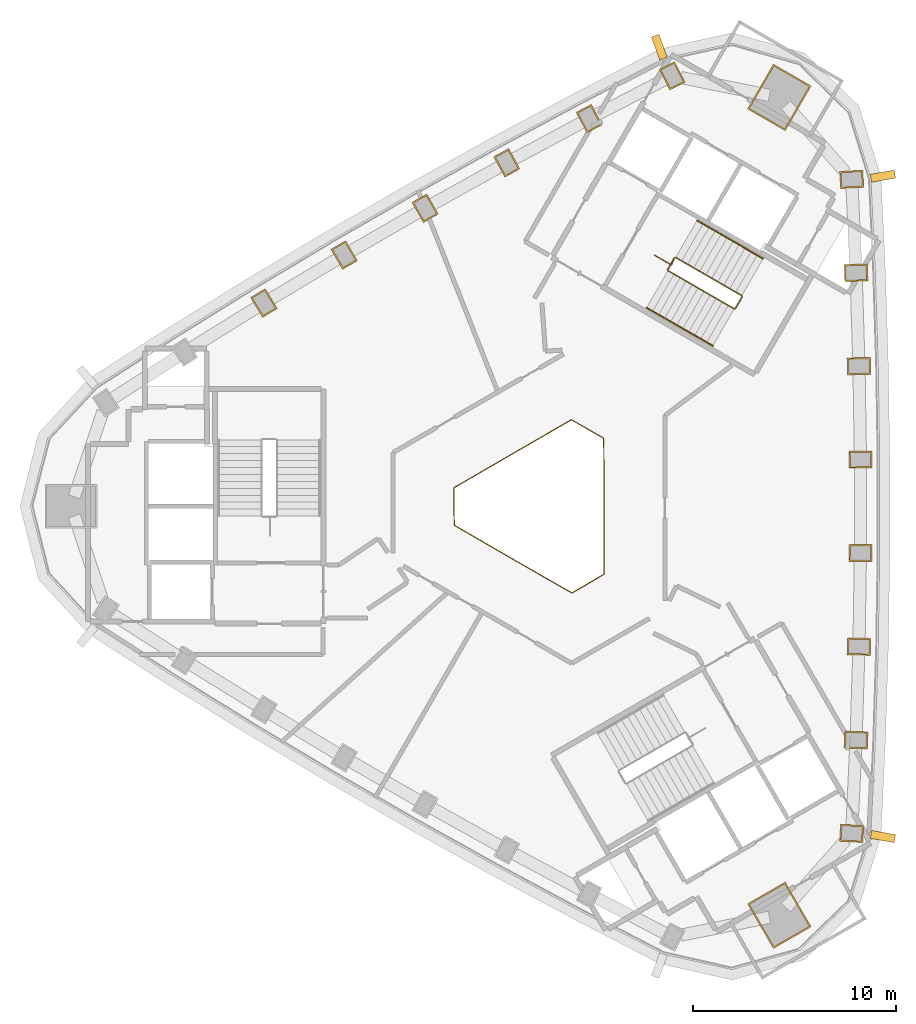
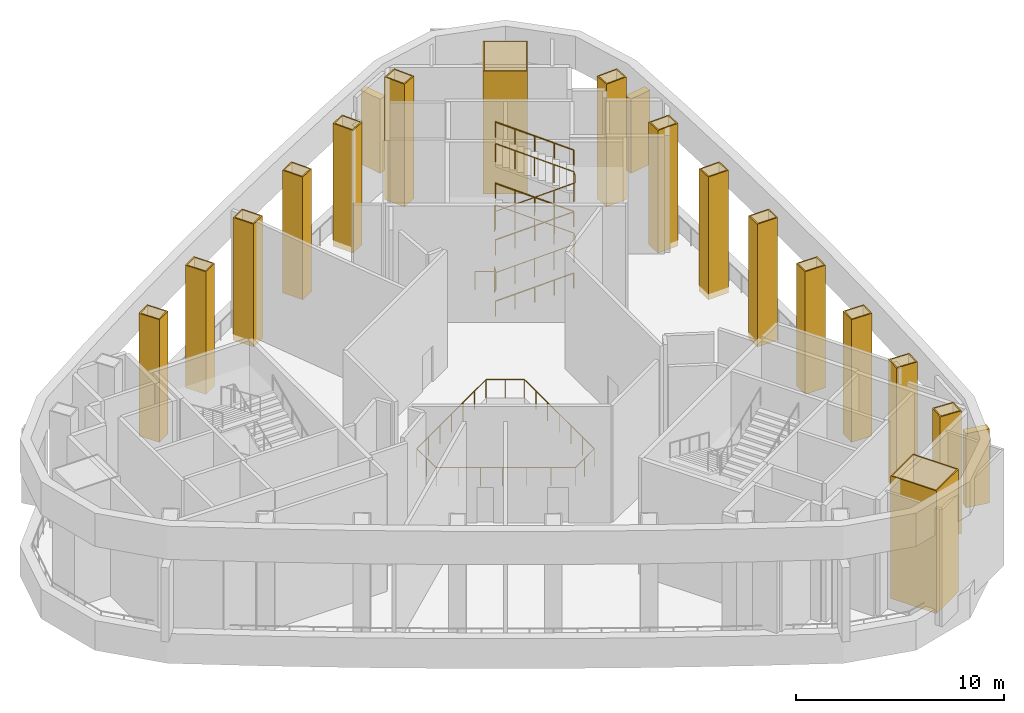
# One storey, part 8 of 8: 19 coverings, 6 railings.
"""IFC4 building model written with IfcOpenShell, lengths in metres."""

import ifcopenshell
import ifcopenshell.guid

model = None  # the IFC model being written
_history = None  # IfcOwnerHistory: only IFC2X3 demands one
_inside = {}  # id of a spatial element -> (the spatial element, [elements in it])
_under = {}  # id of a project, library or spatial element -> (it, [spatial elements below it])
_declared = {}  # id of a project -> (the project, [libraries it declares])
_typed = {}  # id of a type object -> (the type object, [elements of that type])
_made_of = {}  # id of a material, layer set ... -> (it, [elements and type objects made of it])


def new_model(schema):
    """Start an empty IFC model of exactly this schema.

    Asked for "IFC4X3", IfcOpenShell would pick the latest addendum, in which some entities
    have other attributes; the version numbers below select the first issue.
    IFC2X3 requires an IfcOwnerHistory on every rooted entity: one is made here for all.
    """
    global model, _history
    if schema == "IFC4X3":
        model = ifcopenshell.file(schema_version=(4, 3, 0, 0))
    else:
        model = ifcopenshell.file(schema=schema)
    _inside.clear()
    _under.clear()
    _declared.clear()
    _typed.clear()
    _made_of.clear()
    _history = None
    if model.schema == "IFC2X3":
        org = make("IfcOrganization", Name="unknown")
        user = make(
            "IfcPersonAndOrganization",
            ThePerson=make("IfcPerson", FamilyName="unknown"),
            TheOrganization=org,
        )
        app = make(
            "IfcApplication",
            ApplicationDeveloper=org,
            Version="unknown",
            ApplicationFullName="unknown",
            ApplicationIdentifier="unknown",
        )
        _history = make(
            "IfcOwnerHistory",
            OwningUser=user,
            OwningApplication=app,
            ChangeAction="ADDED",
            CreationDate=0,
        )
    return model


def make(cls, **values):
    """One entity of the class cls with the attributes given. An attribute that is None is left unset."""
    return model.create_entity(
        cls, **{name: value for name, value in values.items() if value is not None}
    )


def rooted(cls, **values):
    """An entity with a GlobalId (a new one), such as an element, a storey or a relation."""
    return make(cls, GlobalId=ifcopenshell.guid.new(), OwnerHistory=_history, **values)


def si_unit(unit_type, name, prefix=None):
    """IfcSIUnit, for example si_unit("LENGTHUNIT", "METRE", prefix="MILLI")."""
    return make("IfcSIUnit", UnitType=unit_type, Prefix=prefix, Name=name)


def assignment(units):
    """IfcUnitAssignment: the units of a project."""
    return None if units is None else make("IfcUnitAssignment", Units=units)


def point(xyz):
    """IfcCartesianPoint."""
    return None if xyz is None else make("IfcCartesianPoint", Coordinates=xyz)


def direction(xyz):
    """IfcDirection."""
    return None if xyz is None else make("IfcDirection", DirectionRatios=xyz)


def frame(location, z_axis=None, x_axis=None):
    """IfcAxis2Placement3D, a coordinate frame: its origin and axes. An axis left out is left unset."""
    return make(
        "IfcAxis2Placement3D",
        Location=point(location),
        Axis=direction(z_axis),
        RefDirection=direction(x_axis),
    )


def frame_2d(location, x_axis=None):
    """IfcAxis2Placement2D, a coordinate frame in the plane: its origin and x axis."""
    return make(
        "IfcAxis2Placement2D", Location=point(location), RefDirection=direction(x_axis)
    )


def origin():
    """The frame at (0, 0, 0) with its axes left unset."""
    return frame((0.0, 0.0, 0.0))


def origin_2d():
    """The frame at (0, 0) in the plane with its x axis left unset."""
    return frame_2d((0.0, 0.0))


def place(relative_to, where):
    """IfcLocalPlacement: puts the frame where relative to a parent placement (None: the world)."""
    return make(
        "IfcLocalPlacement", PlacementRelTo=relative_to, RelativePlacement=where
    )


def context(
    kind, dimensions, precision=None, world=None, true_north=None, identifier=None
):
    """IfcGeometricRepresentationContext, for example the 3D "Model" context."""
    return make(
        "IfcGeometricRepresentationContext",
        ContextIdentifier=identifier,
        ContextType=kind,
        CoordinateSpaceDimension=dimensions,
        Precision=precision,
        WorldCoordinateSystem=world,
        TrueNorth=true_north,
    )


def subcontext(parent, identifier, kind, view, scale=None):
    """IfcGeometricRepresentationSubContext, for example "Body" below "Model"."""
    return make(
        "IfcGeometricRepresentationSubContext",
        ContextIdentifier=identifier,
        ContextType=kind,
        ParentContext=parent,
        TargetScale=scale,
        TargetView=view,
    )


def project(units=None, contexts=None):
    """IfcProject with its units and contexts."""
    return rooted(
        "IfcProject",
        Name="project",
        RepresentationContexts=contexts,
        UnitsInContext=assignment(units),
    )


def spatial(cls, under=None, at=None, **own):
    """A site, building, storey or space (cls), placed at a placement, below another one or the project."""
    s = rooted(cls, ObjectPlacement=at, **own)
    if under is not None:
        _under.setdefault(under.id(), (under, []))[1].append(s)
    return s


def profile(cls, at=None, kind="AREA", **sizes):
    """A parametric profile (cls). Its sizes go by their IFC names, for example OverallWidth=200.0."""
    return make(cls, ProfileType=kind, Position=at, **sizes)


def rectangle(**sizes):
    """IfcRectangleProfileDef."""
    return profile("IfcRectangleProfileDef", **sizes)


def circle(**sizes):
    """IfcCircleProfileDef."""
    return profile("IfcCircleProfileDef", **sizes)


def extrude(swept, where, along, depth):
    """IfcExtrudedAreaSolid: the profile swept, set in the frame where, extruded along a direction by depth."""
    return make(
        "IfcExtrudedAreaSolid",
        SweptArea=swept,
        Position=where,
        ExtrudedDirection=direction(along),
        Depth=depth,
    )


def shape(context_of_items, identifier, shape_type, items):
    """IfcShapeRepresentation: the items that make up one representation, for example the "Body"."""
    return make(
        "IfcShapeRepresentation",
        ContextOfItems=context_of_items,
        RepresentationIdentifier=identifier,
        RepresentationType=shape_type,
        Items=items,
    )


def source(mapping_origin, context_of_items, identifier, shape_type, items):
    """IfcRepresentationMap: a shape defined once, which mapped items show again and again."""
    return make(
        "IfcRepresentationMap",
        MappingOrigin=mapping_origin,
        MappedRepresentation=shape(context_of_items, identifier, shape_type, items),
    )


def transform(
    local_origin,
    x_axis=None,
    y_axis=None,
    z_axis=None,
    scale=None,
    scale2=None,
    scale3=None,
    uniform=True,
):
    """IfcCartesianTransformationOperator3D, or its non-uniform kind. x_axis, y_axis, z_axis: its Axis1, 2, 3."""
    if uniform:
        return make(
            "IfcCartesianTransformationOperator3D",
            Axis1=direction(x_axis),
            Axis2=direction(y_axis),
            LocalOrigin=point(local_origin),
            Scale=scale,
            Axis3=direction(z_axis),
        )
    return make(
        "IfcCartesianTransformationOperator3DnonUniform",
        Axis1=direction(x_axis),
        Axis2=direction(y_axis),
        LocalOrigin=point(local_origin),
        Scale=scale,
        Axis3=direction(z_axis),
        Scale2=scale2,
        Scale3=scale3,
    )


def mapped(mapping_source, mapping_target):
    """IfcMappedItem: shows the shape of a source again, moved by a transform."""
    return make(
        "IfcMappedItem", MappingSource=mapping_source, MappingTarget=mapping_target
    )


def material(Name=None, Category=None):
    """IfcMaterial."""
    return make("IfcMaterial", Name=Name, Category=Category)


def layer(
    of_material, thickness, ventilated=None, Name=None, Category=None, Priority=None
):
    """IfcMaterialLayer: one layer of a wall or slab, of a material (None: an air gap)."""
    return make(
        "IfcMaterialLayer",
        Material=of_material,
        LayerThickness=thickness,
        IsVentilated=ventilated,
        Name=Name,
        Category=Category,
        Priority=Priority,
    )


def layer_set(layers, Name=None):
    """IfcMaterialLayerSet."""
    return make("IfcMaterialLayerSet", MaterialLayers=layers, LayerSetName=Name)


def made_of(thing, what):
    """Note that an element or type object is made of a material, layer set ...; save() writes the relation."""
    if what is not None:
        _made_of.setdefault(what.id(), (what, []))[1].append(thing)
    return thing


def type_object(cls, material=None, **own):
    """A type object (cls), such as IfcWallType, which elements share."""
    return made_of(rooted(cls, **own), material)


def element(
    cls,
    number,
    at=None,
    inside=None,
    cuts=None,
    type_object=None,
    material=None,
    context=None,
    identifier="Body",
    shape_type=None,
    held_by="IfcProductDefinitionShape",
    body=None,
    shapes=None,
    **own,
):
    """One element of the class cls, such as IfcWall. Its Tag is "e" and its number.

    at: its placement. inside: the storey or other place that contains it. cuts: it is an
    opening in that element (IfcRelVoidsElement). A single representation is given by context,
    identifier, shape_type and body (its items); several are given by shapes. held_by: the class
    of the entity that holds the representations. save() writes the other relations.
    """
    e = rooted(cls, Tag="e%d" % number, ObjectPlacement=at, **own)
    if body is not None:
        shapes = [shape(context, identifier, shape_type, body)]
    if shapes is not None:
        e.Representation = make(held_by, Representations=shapes)
    if inside is not None:
        _inside.setdefault(inside.id(), (inside, []))[1].append(e)
    if cuts is not None:
        rooted(
            "IfcRelVoidsElement", RelatingBuildingElement=cuts, RelatedOpeningElement=e
        )
    if type_object is not None:
        _typed.setdefault(type_object.id(), (type_object, []))[1].append(e)
    return made_of(e, material)


def aggregate(whole, parts):
    """IfcRelAggregates: a whole, such as a stair, and the parts it consists of."""
    return rooted("IfcRelAggregates", RelatingObject=whole, RelatedObjects=parts)


def save(model, path):
    """Write the relations noted so far, then the file.

    IfcRelAggregates (storeys below a building ...), IfcRelContainedInSpatialStructure (elements
    in a storey), IfcRelDefinesByType, IfcRelAssociatesMaterial and IfcRelDeclares: one each for
    every whole, place, type object, material and project.
    """
    for whole, parts in _under.values():
        aggregate(whole, parts)
    for where, things in _inside.values():
        rooted(
            "IfcRelContainedInSpatialStructure",
            RelatedElements=things,
            RelatingStructure=where,
        )
    for kind, things in _typed.values():
        rooted("IfcRelDefinesByType", RelatedObjects=things, RelatingType=kind)
    for what, things in _made_of.values():
        rooted("IfcRelAssociatesMaterial", RelatedObjects=things, RelatingMaterial=what)
    for by, libraries in _declared.values():
        rooted("IfcRelDeclares", RelatingContext=by, RelatedDefinitions=libraries)
    model.write(path)


model = new_model("IFC4")

# Units and contexts
model_context = context("Model", 3, precision=1e-05, world=origin(), true_north=direction((0.0, 1.0)))
body_context = subcontext(model_context, "Body", "Model", "MODEL_VIEW")
ifc_project = project(units=[si_unit("LENGTHUNIT", "METRE"), si_unit("AREAUNIT", "SQUARE_METRE"), si_unit("VOLUMEUNIT", "CUBIC_METRE"), si_unit("PLANEANGLEUNIT", "RADIAN"), si_unit("MASSUNIT", "GRAM", prefix="KILO")], contexts=[model_context])

# Site, building, storey
site_placement = place(None, origin())
site = spatial("IfcSite", under=ifc_project, at=site_placement, CompositionType="ELEMENT")
building_placement = place(site_placement, origin())
building = spatial("IfcBuilding", under=site, at=building_placement, Name="Tamra Quay Hotel Tower", CompositionType="ELEMENT")
storey_placement = place(building_placement, frame((0.0, 0.0, 283.800048828125)))
storey = spatial("IfcBuildingStorey", under=building, at=storey_placement, Name="L72", CompositionType="ELEMENT", Elevation=283.800048828125)

# Railing
ifc_material_1 = material(Name="Guard atrium edge 1100")
railing_type_1 = type_object("IfcRailingType", Name="Guard atrium edge 1100", PredefinedType="GUARDRAIL", material=ifc_material_1)
railing_1_placement = place(storey_placement, frame((2.197021484375, -3.81298828125, 0.0)))
element("IfcRailing", 1, at=railing_1_placement, inside=storey, type_object=railing_type_1, Name="G-A", PredefinedType="GUARDRAIL", context=body_context, shape_type="SweptSolid", body=[
    extrude(circle(Radius=0.02392578125, at=origin_2d()), frame((0.0, 0.0, 1.076171875), z_axis=(-0.86662952107, -0.498952175273, 0.0), x_axis=(0.498952175273, -0.86662952107, 0.0)), (0.0, 0.0, 1.0), 0.90576171875),
    extrude(circle(Radius=0.02392578125, at=origin_2d()), frame((-0.784912109375, -0.451904296875, 1.076171875), z_axis=(-0.86775781467, 0.49698729871, 0.0), x_axis=(-0.49698729871, -0.86775781467, 0.0)), (0.0, 0.0, 1.0), 3.5009765625),
    extrude(circle(Radius=0.02392578125, at=origin_2d()), frame((-3.822998046875, 1.2880859375, 1.076171875), z_axis=(-0.865328341314, 0.501205408708, 0.0), x_axis=(-0.501205408708, -0.865328341314, 0.0)), (0.0, 0.0, 1.0), 3.186279296875),
    extrude(circle(Radius=0.02392578125, at=origin_2d()), frame((-6.580078125, 2.885009765625, 1.076171875), z_axis=(-0.00755045373, 0.999971494918, 0.0), x_axis=(-0.999971494918, -0.00755045373, 0.0)), (0.0, 0.0, 1.0), 1.843017578125),
    extrude(circle(Radius=0.02392578125, at=origin_2d()), frame((-6.593994140625, 4.72802734375, 1.076171875), z_axis=(0.865218344584, 0.501395269419, 0.0), x_axis=(-0.501395269419, 0.865218344584, 0.0)), (0.0, 0.0, 1.0), 3.3505859375),
    extrude(circle(Radius=0.02392578125, at=origin_2d()), frame((-3.695068359375, 6.407958984375, 1.076171875), z_axis=(0.86554490347, 0.500831328969, 0.0), x_axis=(-0.500831328969, 0.86554490347, 0.0)), (0.0, 0.0, 1.0), 3.334228515625),
    extrude(circle(Radius=0.02392578125, at=origin_2d()), frame((-0.80908203125, 8.077880859375, 1.076171875), z_axis=(0.867874574129, -0.496783376915, 0.0), x_axis=(0.496783376915, 0.867874574129, 0.0)), (0.0, 0.0, 1.0), 1.83544921875),
    extrude(circle(Radius=0.02392578125, at=origin_2d()), frame((0.783935546875, 7.166015625, 1.076171875), z_axis=(0.002407434205, -0.999997102126, 0.0), x_axis=(0.999997102126, 0.002407434205, 0.0)), (0.0, 0.0, 1.0), 6.693115234375),
    extrude(circle(Radius=0.02392578125, at=origin_2d()), frame((0.800048828125, 0.472900390625, 1.076171875), z_axis=(-0.862888288513, -0.505394698772, 0.0), x_axis=(0.505394698772, -0.862888288513, 0.0)), (0.0, 0.0, 1.0), 0.926025390625),
    extrude(circle(Radius=0.02392578125, at=origin_2d()), frame((0.0009765625, 0.0048828125, 1.076171875), z_axis=(-0.196116135138, -0.980580675691, 0.0), x_axis=(0.980580675691, -0.196116135138, 0.0)), (0.0, 0.0, 1.0), 0.0048828125),
    extrude(circle(Radius=0.02099609375, at=origin_2d()), origin(), (0.0, 0.0, 1.0), 1.052001953125),
    extrude(circle(Radius=0.02099609375, at=origin_2d()), frame((-0.784912109375, -0.451904296875, 0.0)), (0.0, 0.0, 1.0), 1.052001953125),
    extrude(circle(Radius=0.02099609375, at=origin_2d()), frame((-1.797607421875, 0.128173828125, 0.0)), (0.0, 0.0, 1.0), 1.052001953125),
    extrude(circle(Radius=0.02099609375, at=origin_2d()), frame((-2.810302734375, 0.7080078125, 0.0)), (0.0, 0.0, 1.0), 1.052001953125),
    extrude(circle(Radius=0.02099609375, at=origin_2d()), frame((-3.822998046875, 1.2880859375, 0.0)), (0.0, 0.0, 1.0), 1.052001953125),
    extrude(circle(Radius=0.02099609375, at=origin_2d()), frame((-4.741943359375, 1.8203125, 0.0)), (0.0, 0.0, 1.0), 1.052001953125),
    extrude(circle(Radius=0.02099609375, at=origin_2d()), frame((-5.6611328125, 2.352783203125, 0.0)), (0.0, 0.0, 1.0), 1.052001953125),
    extrude(circle(Radius=0.02099609375, at=origin_2d()), frame((-6.580078125, 2.885009765625, 0.0)), (0.0, 0.0, 1.0), 1.052001953125),
    extrude(circle(Radius=0.02099609375, at=origin_2d()), frame((-6.5869140625, 3.806640625, 0.0)), (0.0, 0.0, 1.0), 1.052001953125),
    extrude(circle(Radius=0.02099609375, at=origin_2d()), frame((-6.593994140625, 4.72802734375, 0.0)), (0.0, 0.0, 1.0), 1.052001953125),
    extrude(circle(Radius=0.02099609375, at=origin_2d()), frame((-5.627685546875, 5.2880859375, 0.0)), (0.0, 0.0, 1.0), 1.052001953125),
    extrude(circle(Radius=0.02099609375, at=origin_2d()), frame((-4.661376953125, 5.847900390625, 0.0)), (0.0, 0.0, 1.0), 1.052001953125),
    extrude(circle(Radius=0.02099609375, at=origin_2d()), frame((-3.695068359375, 6.407958984375, 0.0)), (0.0, 0.0, 1.0), 1.052001953125),
    extrude(circle(Radius=0.02099609375, at=origin_2d()), frame((-2.733154296875, 6.964599609375, 0.0)), (0.0, 0.0, 1.0), 1.052001953125),
    extrude(circle(Radius=0.02099609375, at=origin_2d()), frame((-1.77099609375, 7.521240234375, 0.0)), (0.0, 0.0, 1.0), 1.052001953125),
    extrude(circle(Radius=0.02099609375, at=origin_2d()), frame((-0.80908203125, 8.077880859375, 0.0)), (0.0, 0.0, 1.0), 1.052001953125),
    extrude(circle(Radius=0.02099609375, at=origin_2d()), frame((-0.0126953125, 7.6220703125, 0.0)), (0.0, 0.0, 1.0), 1.052001953125),
    extrude(circle(Radius=0.02099609375, at=origin_2d()), frame((0.783935546875, 7.166015625, 0.0)), (0.0, 0.0, 1.0), 1.052001953125),
    extrude(circle(Radius=0.02099609375, at=origin_2d()), frame((0.78662109375, 6.050537109375, 0.0)), (0.0, 0.0, 1.0), 1.052001953125),
    extrude(circle(Radius=0.02099609375, at=origin_2d()), frame((0.789306640625, 4.93505859375, 0.0)), (0.0, 0.0, 1.0), 1.052001953125),
    extrude(circle(Radius=0.02099609375, at=origin_2d()), frame((0.7919921875, 3.8193359375, 0.0)), (0.0, 0.0, 1.0), 1.052001953125),
    extrude(circle(Radius=0.02099609375, at=origin_2d()), frame((0.794677734375, 2.703857421875, 0.0)), (0.0, 0.0, 1.0), 1.052001953125),
    extrude(circle(Radius=0.02099609375, at=origin_2d()), frame((0.79736328125, 1.58837890625, 0.0)), (0.0, 0.0, 1.0), 1.052001953125),
    extrude(circle(Radius=0.02099609375, at=origin_2d()), frame((0.800048828125, 0.472900390625, 0.0)), (0.0, 0.0, 1.0), 1.052001953125),
    extrude(circle(Radius=0.02099609375, at=origin_2d()), frame((0.0009765625, 0.0048828125, 0.0)), (0.0, 0.0, 1.0), 1.052001953125),
])

# Coverings
ifc_material_2 = material(Name="Precast concrete M60 terracotta-coloured pierced relief", Category="masonry")
ifc_layer_1 = layer(ifc_material_2, 0.39990234375)
ifc_layer_set_1 = layer_set([ifc_layer_1], Name="PORTAL JAMB FIN 400X1200")
covering_type_1 = type_object("IfcCoveringType", Name="PORTAL JAMB FIN 400X1200", PredefinedType="CLADDING", material=ifc_layer_set_1)
for number, where, z_axis, x_axis, name in (
    (2, (16.741943359375, -16.2734375, 0.89990234375), (0.0, 0.0, 1.0), (0.174033178673, 0.984739789346, 0.0), "Wind portal jamb fin 1"),
    (3, (16.741943359375, 16.2734375, 0.89990234375), (0.0, 0.0, 1.0), (-0.174033178673, 0.984739789346, 0.0), "Wind portal jamb fin 2"),
    (4, (5.722412109375, 22.6357421875, 0.89990234375), (0.0, 0.0, 1.0), (-0.939826263027, -0.341652740841, 0.0), "Wind portal jamb fin 3"),
):
    element("IfcCovering", number, at=place(storey_placement, frame(where, z_axis=z_axis, x_axis=x_axis)), inside=storey, type_object=covering_type_1, Name=name, PredefinedType="CLADDING", context=body_context, shape_type="SweptSolid", body=[
        extrude(rectangle(XDim=0.39990234375, YDim=1.199951171875, at=origin_2d()), origin(), (0.0, 0.0, 1.0), 4.35009765625),
    ])

# Railings
ifc_material_3 = material(Name="Stair guard 1100")
railing_type_2 = type_object("IfcRailingType", Name="Stair guard 1100", PredefinedType="GUARDRAIL", material=ifc_material_3)
railing_2_placement = place(storey_placement, frame((5.46630859375, 12.38818359375, 0.0)))
element("IfcRailing", 5, at=railing_2_placement, inside=storey, type_object=railing_type_2, Name="GR", PredefinedType="GUARDRAIL", context=body_context, shape_type="SweptSolid", body=[
    extrude(circle(Radius=0.02392578125, at=origin_2d()), frame((0.0, 0.0, 1.076171875), z_axis=(0.866071776036, -0.499919672301, 0.0), x_axis=(0.499919672301, 0.866071776036, 0.0)), (0.0, 0.0, 1.0), 1.000244140625),
    extrude(circle(Radius=0.02392578125, at=origin_2d()), frame((0.8662109375, -0.5, 1.076171875), z_axis=(0.33457292443, 0.94236986276, 0.0), x_axis=(-0.94236986276, 0.33457292443, 0.0)), (0.0, 0.0, 1.0), 0.385986328125),
    extrude(circle(Radius=0.02392578125, at=origin_2d()), frame((0.995361328125, -0.13623046875, 1.076171875), z_axis=(-0.500043078269, -0.866000531106, 0.0), x_axis=(0.866000531106, -0.500043078269, 0.0)), (0.0, 0.0, 1.0), 0.6591796875),
    extrude(circle(Radius=0.02392578125, at=origin_2d()), frame((0.665771484375, -0.70703125, 1.076171875), z_axis=(0.110525977783, -0.411156637351, 0.904839338113), x_axis=(0.965715946433, 0.259601060869, 0.0)), (0.0, 0.0, 1.0), 0.165771484375),
    extrude(circle(Radius=0.02392578125, at=origin_2d()), frame((0.68408203125, -0.775146484375, 1.22607421875), z_axis=(0.793081581205, -0.457901355053, 0.401681409319), x_axis=(0.500012686397, 0.866018079166, 0.0)), (0.0, 0.0, 1.0), 4.108154296875),
    extrude(circle(Radius=0.02392578125, at=origin_2d()), frame((3.942138671875, -2.65625, 2.8759765625), z_axis=(0.965715946433, 0.259601060869, 0.0), x_axis=(-0.259601060869, 0.965715946433, 0.0)), (0.0, 0.0, 1.0), 0.070556640625),
    extrude(circle(Radius=0.02392578125, at=origin_2d()), frame((4.01025390625, -2.637939453125, 2.8759765625), z_axis=(0.500043078269, 0.866000531106, 0.0), x_axis=(-0.866000531106, 0.500043078269, 0.0)), (0.0, 0.0, 1.0), 0.6591796875),
    extrude(circle(Radius=0.02392578125, at=origin_2d()), frame((4.33984375, -2.067138671875, 2.8759765625), z_axis=(-0.110525977783, 0.411156637351, 0.904839338113), x_axis=(-0.965715946433, -0.259601060869, 0.0)), (0.0, 0.0, 1.0), 0.165771484375),
    extrude(circle(Radius=0.02392578125, at=origin_2d()), frame((4.321533203125, -1.9990234375, 3.02587890625), z_axis=(-0.793100512587, 0.457912285461, 0.401631567183), x_axis=(-0.500012686397, -0.866018079166, 0.0)), (0.0, 0.0, 1.0), 4.10791015625),
    extrude(circle(Radius=0.02392578125, at=origin_2d()), frame((1.0634765625, -0.117919921875, 4.67578125), z_axis=(-0.965715946433, -0.259601060869, 0.0), x_axis=(0.259601060869, -0.965715946433, 0.0)), (0.0, 0.0, 1.0), 0.070556640625),
    extrude(circle(Radius=0.02392578125, at=origin_2d()), frame((0.995361328125, -0.13623046875, 4.67578125), z_axis=(-0.500043078269, -0.866000531106, 0.0), x_axis=(0.866000531106, -0.500043078269, 0.0)), (0.0, 0.0, 1.0), 0.6591796875),
    extrude(circle(Radius=0.02392578125, at=origin_2d()), frame((0.665771484375, -0.70703125, 4.67578125), z_axis=(0.110378772244, -0.410609032747, 0.905105932399), x_axis=(0.965715946433, 0.259601060869, 0.0)), (0.0, 0.0, 1.0), 0.165771484375),
    extrude(circle(Radius=0.02392578125, at=origin_2d()), frame((0.68408203125, -0.775146484375, 4.826171875), z_axis=(0.793100512587, -0.457912285461, 0.401631567183), x_axis=(0.500012686397, 0.866018079166, 0.0)), (0.0, 0.0, 1.0), 4.10791015625),
    extrude(circle(Radius=0.02392578125, at=origin_2d()), frame((3.942138671875, -2.65625, 6.47607421875), z_axis=(0.965715946433, 0.259601060869, 0.0), x_axis=(-0.259601060869, 0.965715946433, 0.0)), (0.0, 0.0, 1.0), 0.070556640625),
    extrude(circle(Radius=0.02392578125, at=origin_2d()), frame((4.01025390625, -2.637939453125, 6.47607421875), z_axis=(0.500043078269, 0.866000531106, 0.0), x_axis=(-0.866000531106, 0.500043078269, 0.0)), (0.0, 0.0, 1.0), 0.6591796875),
    extrude(circle(Radius=0.02392578125, at=origin_2d()), frame((4.33984375, -2.067138671875, 6.47607421875), z_axis=(-0.110378772244, 0.410609032747, 0.905105932399), x_axis=(-0.965715946433, -0.259601060869, 0.0)), (0.0, 0.0, 1.0), 0.165771484375),
    extrude(circle(Radius=0.02392578125, at=origin_2d()), frame((4.321533203125, -1.9990234375, 6.6259765625), z_axis=(-0.793100512587, 0.457912285461, 0.401631567183), x_axis=(-0.500012686397, -0.866018079166, 0.0)), (0.0, 0.0, 1.0), 4.10791015625),
    extrude(circle(Radius=0.02099609375, at=origin_2d()), origin(), (0.0, 0.0, 1.0), 1.052001953125),
    extrude(circle(Radius=0.02099609375, at=origin_2d()), frame((0.8662109375, -0.5, 0.0)), (0.0, 0.0, 1.0), 1.052001953125),
    extrude(circle(Radius=0.02099609375, at=origin_2d()), frame((0.995361328125, -0.13623046875, 0.0)), (0.0, 0.0, 1.0), 1.052001953125),
    extrude(circle(Radius=0.02099609375, at=origin_2d()), frame((0.665771484375, -0.70703125, 0.0)), (0.0, 0.0, 1.0), 1.052001953125),
    extrude(circle(Radius=0.02099609375, at=origin_2d()), frame((0.68408203125, -0.775146484375, 0.14990234375)), (0.0, 0.0, 1.0), 1.052001953125),
    extrude(circle(Radius=0.02099609375, at=origin_2d()), frame((1.49853515625, -1.245361328125, 0.5625)), (0.0, 0.0, 1.0), 1.052001953125),
    extrude(circle(Radius=0.02099609375, at=origin_2d()), frame((2.31298828125, -1.7158203125, 0.97509765625)), (0.0, 0.0, 1.0), 1.052001953125),
    extrude(circle(Radius=0.02099609375, at=origin_2d()), frame((3.127685546875, -2.18603515625, 1.387451171875)), (0.0, 0.0, 1.0), 1.052001953125),
    extrude(circle(Radius=0.02099609375, at=origin_2d()), frame((3.942138671875, -2.65625, 1.800048828125)), (0.0, 0.0, 1.0), 1.052001953125),
    extrude(circle(Radius=0.02099609375, at=origin_2d()), frame((4.01025390625, -2.637939453125, 1.800048828125)), (0.0, 0.0, 1.0), 1.052001953125),
    extrude(circle(Radius=0.02099609375, at=origin_2d()), frame((4.33984375, -2.067138671875, 1.800048828125)), (0.0, 0.0, 1.0), 1.052001953125),
    extrude(circle(Radius=0.02099609375, at=origin_2d()), frame((4.321533203125, -1.9990234375, 1.949951171875)), (0.0, 0.0, 1.0), 1.052001953125),
    extrude(circle(Radius=0.02099609375, at=origin_2d()), frame((3.507080078125, -1.52880859375, 2.3623046875)), (0.0, 0.0, 1.0), 1.052001953125),
    extrude(circle(Radius=0.02099609375, at=origin_2d()), frame((2.6923828125, -1.05859375, 2.77490234375)), (0.0, 0.0, 1.0), 1.052001953125),
    extrude(circle(Radius=0.02099609375, at=origin_2d()), frame((1.8779296875, -0.588134765625, 3.1875)), (0.0, 0.0, 1.0), 1.052001953125),
    extrude(circle(Radius=0.02099609375, at=origin_2d()), frame((1.0634765625, -0.117919921875, 3.599853515625)), (0.0, 0.0, 1.0), 1.052001953125),
    extrude(circle(Radius=0.02099609375, at=origin_2d()), frame((0.995361328125, -0.13623046875, 3.599853515625)), (0.0, 0.0, 1.0), 1.052001953125),
    extrude(circle(Radius=0.02099609375, at=origin_2d()), frame((0.665771484375, -0.70703125, 3.599853515625)), (0.0, 0.0, 1.0), 1.052001953125),
    extrude(circle(Radius=0.02099609375, at=origin_2d()), frame((0.68408203125, -0.775146484375, 3.75)), (0.0, 0.0, 1.0), 1.052001953125),
    extrude(circle(Radius=0.02099609375, at=origin_2d()), frame((1.49853515625, -1.245361328125, 4.16259765625)), (0.0, 0.0, 1.0), 1.052001953125),
    extrude(circle(Radius=0.02099609375, at=origin_2d()), frame((2.31298828125, -1.7158203125, 4.574951171875)), (0.0, 0.0, 1.0), 1.052001953125),
    extrude(circle(Radius=0.02099609375, at=origin_2d()), frame((3.127685546875, -2.18603515625, 4.9873046875)), (0.0, 0.0, 1.0), 1.052001953125),
    extrude(circle(Radius=0.02099609375, at=origin_2d()), frame((3.942138671875, -2.65625, 5.39990234375)), (0.0, 0.0, 1.0), 1.052001953125),
    extrude(circle(Radius=0.02099609375, at=origin_2d()), frame((4.01025390625, -2.637939453125, 5.39990234375)), (0.0, 0.0, 1.0), 1.052001953125),
    extrude(circle(Radius=0.02099609375, at=origin_2d()), frame((4.33984375, -2.067138671875, 5.39990234375)), (0.0, 0.0, 1.0), 1.052001953125),
    extrude(circle(Radius=0.02099609375, at=origin_2d()), frame((4.321533203125, -1.9990234375, 5.550048828125)), (0.0, 0.0, 1.0), 1.052001953125),
    extrude(circle(Radius=0.02099609375, at=origin_2d()), frame((3.507080078125, -1.52880859375, 5.96240234375)), (0.0, 0.0, 1.0), 1.052001953125),
    extrude(circle(Radius=0.02099609375, at=origin_2d()), frame((2.6923828125, -1.05859375, 6.375)), (0.0, 0.0, 1.0), 1.052001953125),
    extrude(circle(Radius=0.02099609375, at=origin_2d()), frame((1.8779296875, -0.588134765625, 6.78759765625)), (0.0, 0.0, 1.0), 1.052001953125),
    extrude(circle(Radius=0.02099609375, at=origin_2d()), frame((1.0634765625, -0.117919921875, 7.199951171875)), (0.0, 0.0, 1.0), 1.052001953125),
])
ifc_material_4 = material(Name="Stair handrail 900")
railing_type_3 = type_object("IfcRailingType", Name="Stair handrail 900", PredefinedType="HANDRAIL", material=ifc_material_4)
railing_3_placement = place(storey_placement, frame((5.100341796875, 9.794189453125, 0.14990234375)))
element("IfcRailing", 6, at=railing_3_placement, inside=storey, type_object=railing_type_3, Name="HR", PredefinedType="HANDRAIL", context=body_context, shape_type="SweptSolid", body=[
    extrude(circle(Radius=0.02392578125, at=origin_2d()), frame((0.0, 0.0, 0.8759765625), z_axis=(0.793103162556, -0.457854384738, 0.401692339881), x_axis=(0.499964013922, 0.86604617936, 0.0)), (0.0, 0.0, 1.0), 4.10791015625),
    extrude(circle(Radius=0.02099609375, at=origin_2d()), origin(), (0.0, 0.0, 1.0), 0.851806640625),
    extrude(circle(Radius=0.02099609375, at=origin_2d()), frame((0.814453125, -0.47021484375, 0.41259765625)), (0.0, 0.0, 1.0), 0.851806640625),
    extrude(circle(Radius=0.02099609375, at=origin_2d()), frame((1.62890625, -0.9404296875, 0.8251953125)), (0.0, 0.0, 1.0), 0.851806640625),
    extrude(circle(Radius=0.02099609375, at=origin_2d()), frame((2.443603515625, -1.41064453125, 1.237548828125)), (0.0, 0.0, 1.0), 0.851806640625),
    extrude(circle(Radius=0.02099609375, at=origin_2d()), frame((3.258056640625, -1.880859375, 1.650146484375)), (0.0, 0.0, 1.0), 0.851806640625),
])
railing_4_placement = place(storey_placement, frame((10.837890625, 12.2080078125, 1.949951171875)))
element("IfcRailing", 7, at=railing_4_placement, inside=storey, type_object=railing_type_3, Name="HR", PredefinedType="HANDRAIL", context=body_context, shape_type="SweptSolid", body=[
    extrude(circle(Radius=0.02392578125, at=origin_2d()), frame((0.0, 0.0, 0.8759765625), z_axis=(-0.793122095483, 0.45786531462, 0.401642496911), x_axis=(-0.499964013922, -0.86604617936, 0.0)), (0.0, 0.0, 1.0), 4.10791015625),
    extrude(circle(Radius=0.02099609375, at=origin_2d()), origin(), (0.0, 0.0, 1.0), 0.851806640625),
    extrude(circle(Radius=0.02099609375, at=origin_2d()), frame((-0.814453125, 0.47021484375, 0.41259765625)), (0.0, 0.0, 1.0), 0.851806640625),
    extrude(circle(Radius=0.02099609375, at=origin_2d()), frame((-1.62890625, 0.9404296875, 0.824951171875)), (0.0, 0.0, 1.0), 0.851806640625),
    extrude(circle(Radius=0.02099609375, at=origin_2d()), frame((-2.443603515625, 1.41064453125, 1.2373046875)), (0.0, 0.0, 1.0), 0.851806640625),
    extrude(circle(Radius=0.02099609375, at=origin_2d()), frame((-3.258056640625, 1.880859375, 1.64990234375)), (0.0, 0.0, 1.0), 0.851806640625),
])
railing_5_placement = place(storey_placement, frame((5.100341796875, 9.794189453125, 3.75)))
element("IfcRailing", 8, at=railing_5_placement, inside=storey, type_object=railing_type_3, Name="HR", PredefinedType="HANDRAIL", context=body_context, shape_type="SweptSolid", body=[
    extrude(circle(Radius=0.02392578125, at=origin_2d()), frame((0.0, 0.0, 0.8759765625), z_axis=(0.793122095483, -0.45786531462, 0.401642496911), x_axis=(0.499964013922, 0.86604617936, 0.0)), (0.0, 0.0, 1.0), 4.10791015625),
    extrude(circle(Radius=0.02099609375, at=origin_2d()), origin(), (0.0, 0.0, 1.0), 0.851806640625),
    extrude(circle(Radius=0.02099609375, at=origin_2d()), frame((0.814453125, -0.47021484375, 0.41259765625)), (0.0, 0.0, 1.0), 0.851806640625),
    extrude(circle(Radius=0.02099609375, at=origin_2d()), frame((1.62890625, -0.9404296875, 0.824951171875)), (0.0, 0.0, 1.0), 0.851806640625),
    extrude(circle(Radius=0.02099609375, at=origin_2d()), frame((2.443603515625, -1.41064453125, 1.2373046875)), (0.0, 0.0, 1.0), 0.851806640625),
    extrude(circle(Radius=0.02099609375, at=origin_2d()), frame((3.258056640625, -1.880859375, 1.64990234375)), (0.0, 0.0, 1.0), 0.851806640625),
])
railing_6_placement = place(storey_placement, frame((10.837890625, 12.2080078125, 5.550048828125)))
element("IfcRailing", 9, at=railing_6_placement, inside=storey, type_object=railing_type_3, Name="HR", PredefinedType="HANDRAIL", context=body_context, shape_type="SweptSolid", body=[
    extrude(circle(Radius=0.02392578125, at=origin_2d()), frame((0.0, 0.0, 0.8759765625), z_axis=(-0.793122095483, 0.45786531462, 0.401642496911), x_axis=(-0.499964013922, -0.86604617936, 0.0)), (0.0, 0.0, 1.0), 4.10791015625),
    extrude(circle(Radius=0.02099609375, at=origin_2d()), origin(), (0.0, 0.0, 1.0), 0.851806640625),
    extrude(circle(Radius=0.02099609375, at=origin_2d()), frame((-0.814453125, 0.47021484375, 0.41259765625)), (0.0, 0.0, 1.0), 0.851806640625),
    extrude(circle(Radius=0.02099609375, at=origin_2d()), frame((-1.62890625, 0.9404296875, 0.824951171875)), (0.0, 0.0, 1.0), 0.851806640625),
    extrude(circle(Radius=0.02099609375, at=origin_2d()), frame((-2.443603515625, 1.41064453125, 1.2373046875)), (0.0, 0.0, 1.0), 0.851806640625),
    extrude(circle(Radius=0.02099609375, at=origin_2d()), frame((-3.258056640625, 1.880859375, 1.64990234375)), (0.0, 0.0, 1.0), 0.851806640625),
])

# Coverings
ifc_layer_2 = layer(ifc_material_2, 0.070068359375)
ifc_layer_set_2 = layer_set([ifc_layer_2], Name="COLUMN RELIEF SLEEVE 70")
covering_type_2 = type_object("IfcCoveringType", Name="COLUMN RELIEF SLEEVE 70", PredefinedType="CLADDING", material=ifc_layer_set_2)
shared_shape_1 = source(origin(), body_context, "Body", "SweptSolid", [
    extrude(rectangle(XDim=1.139892578125, YDim=0.070068359375, at=frame_2d((0.56982421875, 0.03515625))), frame((-0.570068359375, -0.419921875, 0.0)), (0.0, 0.0, 1.0), 7.199951171875),
    extrude(rectangle(XDim=1.139892578125, YDim=0.070068359375, at=frame_2d((0.56982421875, 0.03515625))), frame((-0.570068359375, 0.35009765625, 0.0)), (0.0, 0.0, 1.0), 7.199951171875),
    extrude(rectangle(XDim=0.070068359375, YDim=0.699951171875, at=frame_2d((0.03515625, 0.35009765625))), frame((-0.570068359375, -0.35009765625, 0.0)), (0.0, 0.0, 1.0), 7.199951171875),
    extrude(rectangle(XDim=0.070068359375, YDim=0.699951171875, at=frame_2d((0.03515625, 0.35009765625))), frame((0.5, -0.35009765625, 0.0)), (0.0, 0.0, 1.0), 7.199951171875),
])
for number, where, z_axis, x_axis, name in (
    (10, (15.202392578125, -16.116943359375, -0.35009765625), (0.0, 0.0, 1.0), (-0.998490919119, 0.05491706873, 0.0), "Column relief sleeve COL-C6E01-L72"),
    (11, (15.418212890625, -11.51513671875, -0.35009765625), (0.0, 0.0, 1.0), (-0.999251212442, 0.03869127076, 0.0), "Column relief sleeve COL-C6E02-L72"),
    (12, (15.56201171875, -6.909912109375, -0.35009765625), (0.0, 0.0, 1.0), (-0.999717847188, 0.023753442163, 0.0), "Column relief sleeve COL-C6E03-L72"),
    (13, (15.634033203125, -2.303466796875, -0.35009765625), (0.0, 0.0, 1.0), (-0.999968634555, 0.007920221337, 0.0), "Column relief sleeve COL-C6E04-L72"),
    (14, (15.634033203125, 2.303466796875, -0.35009765625), (0.0, 0.0, 1.0), (0.999968634555, 0.007920221337, 0.0), "Column relief sleeve COL-C6E05-L72"),
    (15, (15.56201171875, 6.909912109375, -0.35009765625), (0.0, 0.0, 1.0), (0.999717847188, 0.023753442163, 0.0), "Column relief sleeve COL-C6E06-L72"),
    (16, (15.418212890625, 11.51513671875, -0.35009765625), (0.0, 0.0, 1.0), (0.999251212442, 0.03869127076, 0.0), "Column relief sleeve COL-C6E07-L72"),
    (17, (15.202392578125, 16.116943359375, -0.35009765625), (0.0, 0.0, 1.0), (0.998490919119, 0.05491706873, 0.0), "Column relief sleeve COL-C6E08-L72"),
    (18, (6.3564453125, 21.22412109375, -0.35009765625), (0.0, 0.0, 1.0), (-0.451685882938, 0.89217703577, 0.0), "Column relief sleeve COL-C6NW01-L72"),
    (19, (2.26318359375, 19.110107421875, -0.35009765625), (0.0, 0.0, 1.0), (-0.466117982839, 0.884722570117, 0.0), "Column relief sleeve COL-C6NW02-L72"),
    (20, (-1.796875, 16.93212890625, -0.35009765625), (0.0, 0.0, 1.0), (-0.479287839253, 0.877657773363, 0.0), "Column relief sleeve COL-C6NW03-L72"),
    (21, (-5.822265625, 14.69140625, -0.35009765625), (0.0, 0.0, 1.0), (-0.493125204396, 0.869958351181, 0.0), "Column relief sleeve COL-C6NW04-L72"),
    (22, (-9.81201171875, 12.3876953125, -0.35009765625), (0.0, 0.0, 1.0), (-0.506843430159, 0.862038129844, 0.0), "Column relief sleeve COL-C6NW05-L72"),
    (23, (-13.765380859375, 10.022216796875, -0.35009765625), (0.0, 0.0, 1.0), (-0.520430007934, 0.8539043312, 0.0), "Column relief sleeve COL-C6NW06-L72"),
):
    element("IfcCovering", number, at=place(storey_placement, frame(where, z_axis=z_axis, x_axis=x_axis)), inside=storey, type_object=covering_type_2, Name=name, PredefinedType="CLADDING", context=body_context, shape_type="MappedRepresentation", body=[
        mapped(shared_shape_1, transform((0.0, 0.0, 0.0), scale=1.0)),
    ])
shared_shape_2 = source(origin(), body_context, "Body", "SweptSolid", [
    extrude(rectangle(XDim=2.5400390625, YDim=0.070068359375, at=frame_2d((1.27001953125, 0.03515625))), frame((-1.27001953125, -1.070068359375, 0.0)), (0.0, 0.0, 1.0), 7.199951171875),
    extrude(rectangle(XDim=2.5400390625, YDim=0.070068359375, at=frame_2d((1.27001953125, 0.03515625))), frame((-1.27001953125, 1.0, 0.0)), (0.0, 0.0, 1.0), 7.199951171875),
    extrude(rectangle(XDim=0.070068359375, YDim=2.0, at=frame_2d((0.03515625, 1.0))), frame((-1.27001953125, -1.0, 0.0)), (0.0, 0.0, 1.0), 7.199951171875),
    extrude(rectangle(XDim=0.070068359375, YDim=2.0, at=frame_2d((0.03515625, 1.0))), frame((1.199951171875, -1.0, 0.0)), (0.0, 0.0, 1.0), 7.199951171875),
])
for number, where, z_axis, x_axis, name in (
    (24, (11.63671875, 20.1552734375, -0.35009765625), (0.0, 0.0, 1.0), (0.5, 0.866025403784, 0.0), "Column relief sleeve COL-M6NE-L72"),
    (25, (11.63671875, -20.1552734375, -0.35009765625), (0.0, 0.0, 1.0), (-0.5, 0.866025403784, 0.0), "Column relief sleeve COL-M6SE-L72"),
):
    element("IfcCovering", number, at=place(storey_placement, frame(where, z_axis=z_axis, x_axis=x_axis)), inside=storey, type_object=covering_type_2, Name=name, PredefinedType="CLADDING", context=body_context, shape_type="MappedRepresentation", body=[
        mapped(shared_shape_2, transform((0.0, 0.0, 0.0), scale=1.0)),
    ])

save(model, "model.ifc")
